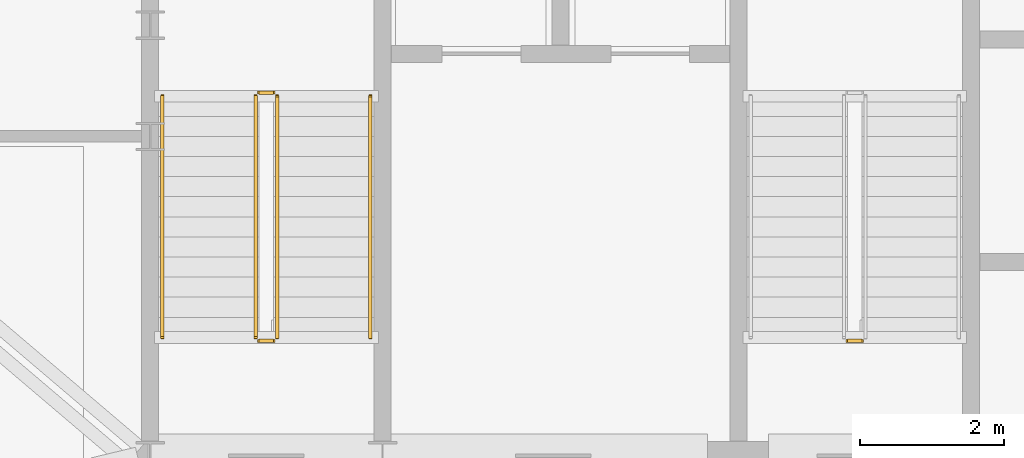
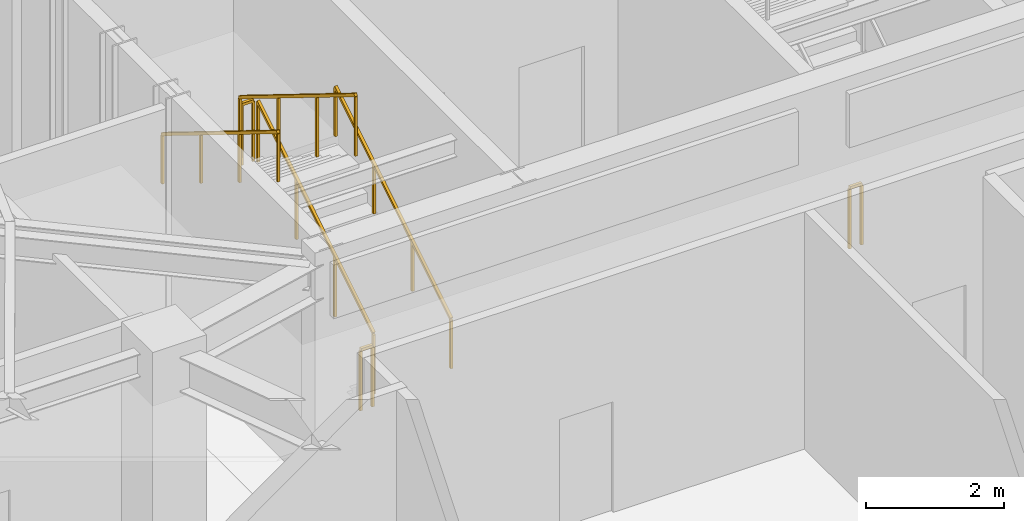
# One storey, part 7 of 10: 7 railings.
"""IFC4 building model written with IfcOpenShell, lengths in metres."""

from ifc_helpers import new_model, si_unit, direction, frame, origin, origin_2d, place, context, subcontext, project, spatial, rectangle, extrude, material, type_object, element, save


model = new_model("IFC4")

# Units and contexts
model_context = context("Model", 3, precision=1e-05, world=origin(), true_north=direction((0.0, 1.0)))
body_context = subcontext(model_context, "Body", "Model", "MODEL_VIEW")
ifc_project = project(units=[si_unit("LENGTHUNIT", "METRE"), si_unit("AREAUNIT", "SQUARE_METRE"), si_unit("VOLUMEUNIT", "CUBIC_METRE"), si_unit("PLANEANGLEUNIT", "RADIAN"), si_unit("MASSUNIT", "GRAM", prefix="KILO")], contexts=[model_context])

# Site, building, storey
site_placement = place(None, origin())
site = spatial("IfcSite", under=ifc_project, at=site_placement, CompositionType="ELEMENT")
building_placement = place(site_placement, origin())
building = spatial("IfcBuilding", under=site, at=building_placement, Name="Haldorwick Loom Tower", CompositionType="ELEMENT")
storey_placement = place(building_placement, frame((0.0, 0.0, 273.0)))
storey = spatial("IfcBuildingStorey", under=building, at=storey_placement, Name="L74", CompositionType="ELEMENT", Elevation=273.0)

# Railings
ifc_material = material(Name="Steel CSA G40.21 350W", Category="steel")
railing_type_1 = type_object("IfcRailingType", Name="ARC-RLG-GUARD112", PredefinedType="GUARDRAIL", material=ifc_material)
railing_1_placement = place(storey_placement, frame((23.699951171875, 28.39990234375, 0.173095703125)))
element("IfcRailing", 1, at=railing_1_placement, inside=storey, type_object=railing_type_1, Name="L74 ST-01 stair guard 1", PredefinedType="GUARDRAIL", context=body_context, shape_type="SweptSolid", body=[
    extrude(rectangle(XDim=0.048095703125, YDim=0.048095703125, at=origin_2d()), frame((0.0, 0.0, 1.076171875), z_axis=(0.0, 0.850623216509, 0.525775754039), x_axis=(-1.0, 0.0, 0.0)), (0.0, 0.0, 1.0), 3.9501953125),
    extrude(rectangle(XDim=0.0419921875, YDim=0.0419921875, at=origin_2d()), origin(), (0.0, 0.0, 1.0), 1.052001953125),
    extrude(rectangle(XDim=0.0419921875, YDim=0.0419921875, at=origin_2d()), frame((0.0, 1.1201171875, 0.6923828125)), (0.0, 0.0, 1.0), 1.052001953125),
    extrude(rectangle(XDim=0.0419921875, YDim=0.0419921875, at=origin_2d()), frame((0.0, 2.239990234375, 1.384521484375)), (0.0, 0.0, 1.0), 1.052001953125),
    extrude(rectangle(XDim=0.0419921875, YDim=0.0419921875, at=origin_2d()), frame((0.0, 3.360107421875, 2.076904296875)), (0.0, 0.0, 1.0), 1.052001953125),
])
railing_2_placement = place(storey_placement, frame((23.64990234375, 31.81005859375, 2.25)))
element("IfcRailing", 2, at=railing_2_placement, inside=storey, type_object=railing_type_1, Name="L74 ST-01 stair guard 2", PredefinedType="GUARDRAIL", context=body_context, shape_type="SweptSolid", body=[
    extrude(rectangle(XDim=0.048095703125, YDim=0.048095703125, at=origin_2d()), frame((0.0, 0.0, 1.076171875), z_axis=(-1.0, 0.0, 0.0), x_axis=(0.0, -1.0, 0.0)), (0.0, 0.0, 1.0), 0.199951171875),
    extrude(rectangle(XDim=0.0419921875, YDim=0.0419921875, at=origin_2d()), origin(), (0.0, 0.0, 1.0), 1.052001953125),
    extrude(rectangle(XDim=0.0419921875, YDim=0.0419921875, at=origin_2d()), frame((-0.199951171875, 0.0, 0.0)), (0.0, 0.0, 1.0), 1.052001953125),
])
railing_3_placement = place(storey_placement, frame((23.39990234375, 31.760009765625, 2.423095703125)))
element("IfcRailing", 3, at=railing_3_placement, inside=storey, type_object=railing_type_1, Name="L74 ST-01 stair guard 3", PredefinedType="GUARDRAIL", context=body_context, shape_type="SweptSolid", body=[
    extrude(rectangle(XDim=0.048095703125, YDim=0.048095703125, at=origin_2d()), frame((0.0, 0.0, 1.076171875), z_axis=(0.0, -0.850623216509, 0.525775754039), x_axis=(1.0, 0.0, 0.0)), (0.0, 0.0, 1.0), 3.9501953125),
    extrude(rectangle(XDim=0.0419921875, YDim=0.0419921875, at=origin_2d()), origin(), (0.0, 0.0, 1.0), 1.052001953125),
    extrude(rectangle(XDim=0.0419921875, YDim=0.0419921875, at=origin_2d()), frame((0.0, -1.1201171875, 0.6923828125)), (0.0, 0.0, 1.0), 1.052001953125),
    extrude(rectangle(XDim=0.0419921875, YDim=0.0419921875, at=origin_2d()), frame((0.0, -2.239990234375, 1.384521484375)), (0.0, 0.0, 1.0), 1.052001953125),
    extrude(rectangle(XDim=0.0419921875, YDim=0.0419921875, at=origin_2d()), frame((0.0, -3.360107421875, 2.076904296875)), (0.0, 0.0, 1.0), 1.052001953125),
])
railing_4_placement = place(storey_placement, frame((23.64990234375, 28.35009765625, 0.0)))
element("IfcRailing", 4, at=railing_4_placement, inside=storey, type_object=railing_type_1, Name="L74 ST-01 stair guard 4", PredefinedType="GUARDRAIL", context=body_context, shape_type="SweptSolid", body=[
    extrude(rectangle(XDim=0.048095703125, YDim=0.048095703125, at=origin_2d()), frame((0.0, 0.0, 1.076171875), z_axis=(-1.0, 0.0, 0.0), x_axis=(0.0, -1.0, 0.0)), (0.0, 0.0, 1.0), 0.199951171875),
    extrude(rectangle(XDim=0.0419921875, YDim=0.0419921875, at=origin_2d()), origin(), (0.0, 0.0, 1.0), 1.052001953125),
    extrude(rectangle(XDim=0.0419921875, YDim=0.0419921875, at=origin_2d()), frame((-0.199951171875, 0.0, 0.0)), (0.0, 0.0, 1.0), 1.052001953125),
])
railing_5_placement = place(storey_placement, frame((31.85009765625, 28.35009765625, 0.0)))
element("IfcRailing", 5, at=railing_5_placement, inside=storey, type_object=railing_type_1, Name="L74 ST-03 stair guard 4", PredefinedType="GUARDRAIL", context=body_context, shape_type="SweptSolid", body=[
    extrude(rectangle(XDim=0.048095703125, YDim=0.048095703125, at=origin_2d()), frame((0.0, 0.0, 1.076171875), z_axis=(-1.0, 0.0, 0.0), x_axis=(0.0, -1.0, 0.0)), (0.0, 0.0, 1.0), 0.2001953125),
    extrude(rectangle(XDim=0.0419921875, YDim=0.0419921875, at=origin_2d()), origin(), (0.0, 0.0, 1.0), 1.052001953125),
    extrude(rectangle(XDim=0.0419921875, YDim=0.0419921875, at=origin_2d()), frame((-0.2001953125, 0.0, 0.0)), (0.0, 0.0, 1.0), 1.052001953125),
])
railing_type_2 = type_object("IfcRailingType", Name="ARC-RLG-HAND092", PredefinedType="HANDRAIL", material=ifc_material)
railing_6_placement = place(storey_placement, frame((25.0, 28.39990234375, 0.173095703125)))
element("IfcRailing", 6, at=railing_6_placement, inside=storey, type_object=railing_type_2, Name="L74 ST-01 stair handrail 1", PredefinedType="HANDRAIL", context=body_context, shape_type="SweptSolid", body=[
    extrude(rectangle(XDim=0.048095703125, YDim=0.048095703125, at=origin_2d()), frame((0.0, 0.0, 0.8759765625), z_axis=(0.0, 0.850623216509, 0.525775754039), x_axis=(-1.0, 0.0, 0.0)), (0.0, 0.0, 1.0), 3.9501953125),
    extrude(rectangle(XDim=0.0419921875, YDim=0.0419921875, at=origin_2d()), origin(), (0.0, 0.0, 1.0), 0.851806640625),
    extrude(rectangle(XDim=0.0419921875, YDim=0.0419921875, at=origin_2d()), frame((0.0, 1.1201171875, 0.6923828125)), (0.0, 0.0, 1.0), 0.851806640625),
    extrude(rectangle(XDim=0.0419921875, YDim=0.0419921875, at=origin_2d()), frame((0.0, 2.239990234375, 1.384521484375)), (0.0, 0.0, 1.0), 0.851806640625),
    extrude(rectangle(XDim=0.0419921875, YDim=0.0419921875, at=origin_2d()), frame((0.0, 3.360107421875, 2.076904296875)), (0.0, 0.0, 1.0), 0.851806640625),
])
railing_7_placement = place(storey_placement, frame((22.10009765625, 31.760009765625, 2.423095703125)))
element("IfcRailing", 7, at=railing_7_placement, inside=storey, type_object=railing_type_2, Name="L74 ST-01 stair handrail 2", PredefinedType="HANDRAIL", context=body_context, shape_type="SweptSolid", body=[
    extrude(rectangle(XDim=0.048095703125, YDim=0.048095703125, at=origin_2d()), frame((0.0, 0.0, 0.8759765625), z_axis=(0.0, -0.850623216509, 0.525775754039), x_axis=(1.0, 0.0, 0.0)), (0.0, 0.0, 1.0), 3.9501953125),
    extrude(rectangle(XDim=0.0419921875, YDim=0.0419921875, at=origin_2d()), origin(), (0.0, 0.0, 1.0), 0.851806640625),
    extrude(rectangle(XDim=0.0419921875, YDim=0.0419921875, at=origin_2d()), frame((0.0, -1.1201171875, 0.6923828125)), (0.0, 0.0, 1.0), 0.851806640625),
    extrude(rectangle(XDim=0.0419921875, YDim=0.0419921875, at=origin_2d()), frame((0.0, -2.239990234375, 1.384521484375)), (0.0, 0.0, 1.0), 0.851806640625),
    extrude(rectangle(XDim=0.0419921875, YDim=0.0419921875, at=origin_2d()), frame((0.0, -3.360107421875, 2.076904296875)), (0.0, 0.0, 1.0), 0.851806640625),
])

save(model, "model.ifc")
